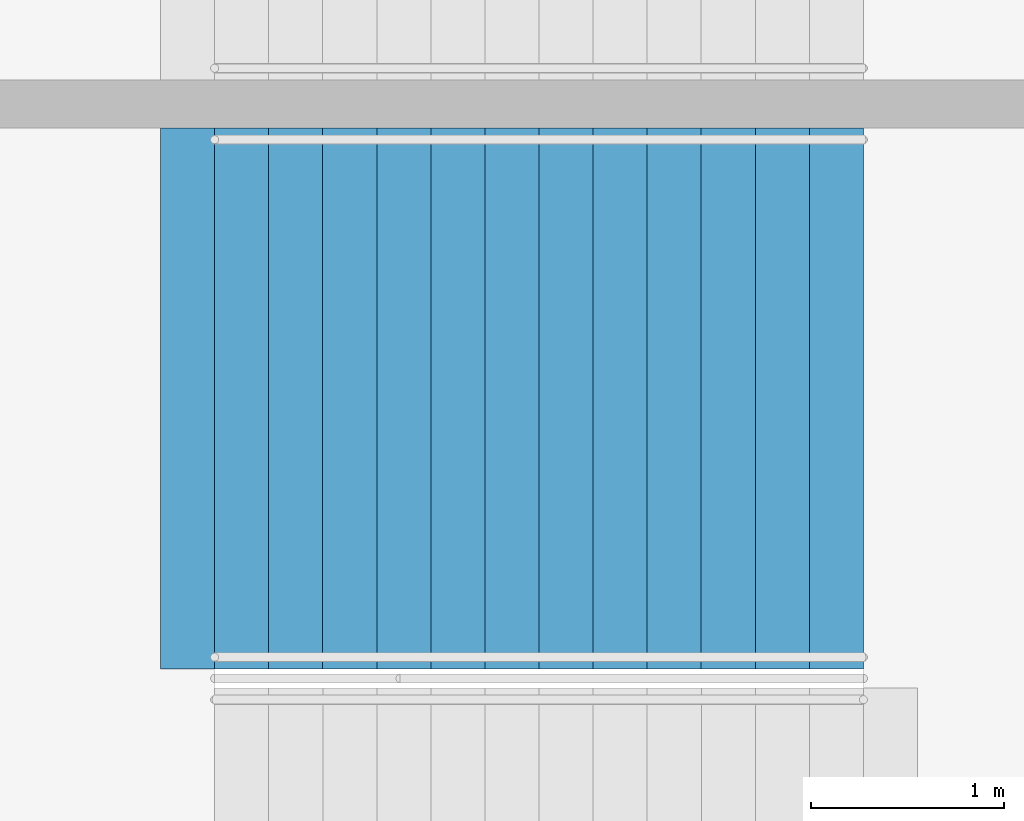
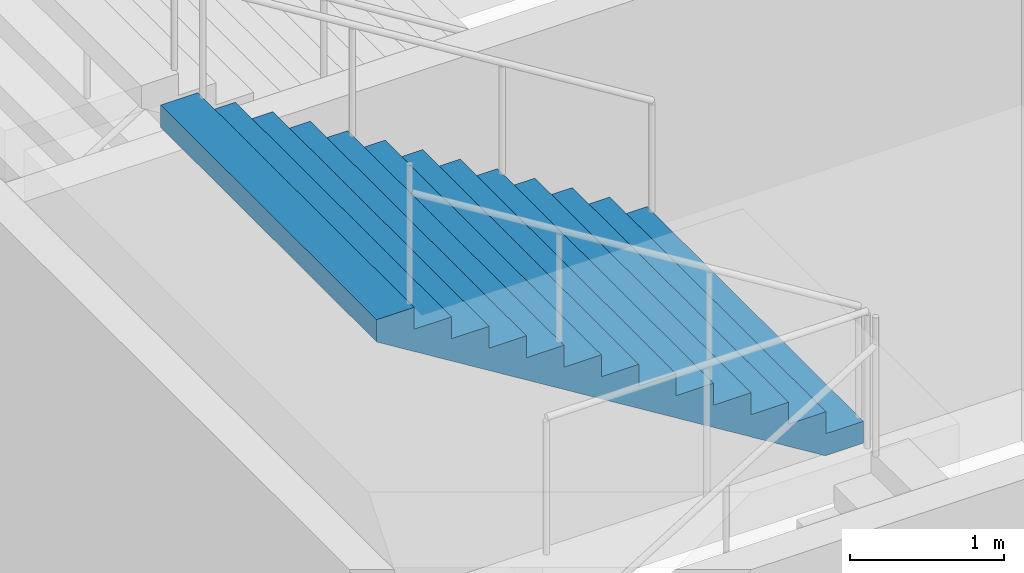
# One storey, part 146 of 199: 1 stair flight, 1 element without a shape of its own.
"""IFC4 building model written with IfcOpenShell, lengths in metres."""

import ifcopenshell
import ifcopenshell.guid

model = None  # the IFC model being written
_history = None  # IfcOwnerHistory: only IFC2X3 demands one
_inside = {}  # id of a spatial element -> (the spatial element, [elements in it])
_under = {}  # id of a project, library or spatial element -> (it, [spatial elements below it])
_declared = {}  # id of a project -> (the project, [libraries it declares])
_typed = {}  # id of a type object -> (the type object, [elements of that type])
_made_of = {}  # id of a material, layer set ... -> (it, [elements and type objects made of it])


def new_model(schema):
    """Start an empty IFC model of exactly this schema.

    Asked for "IFC4X3", IfcOpenShell would pick the latest addendum, in which some entities
    have other attributes; the version numbers below select the first issue.
    IFC2X3 requires an IfcOwnerHistory on every rooted entity: one is made here for all.
    """
    global model, _history
    if schema == "IFC4X3":
        model = ifcopenshell.file(schema_version=(4, 3, 0, 0))
    else:
        model = ifcopenshell.file(schema=schema)
    _inside.clear()
    _under.clear()
    _declared.clear()
    _typed.clear()
    _made_of.clear()
    _history = None
    if model.schema == "IFC2X3":
        org = make("IfcOrganization", Name="unknown")
        user = make(
            "IfcPersonAndOrganization",
            ThePerson=make("IfcPerson", FamilyName="unknown"),
            TheOrganization=org,
        )
        app = make(
            "IfcApplication",
            ApplicationDeveloper=org,
            Version="unknown",
            ApplicationFullName="unknown",
            ApplicationIdentifier="unknown",
        )
        _history = make(
            "IfcOwnerHistory",
            OwningUser=user,
            OwningApplication=app,
            ChangeAction="ADDED",
            CreationDate=0,
        )
    return model


def make(cls, **values):
    """One entity of the class cls with the attributes given. An attribute that is None is left unset."""
    return model.create_entity(
        cls, **{name: value for name, value in values.items() if value is not None}
    )


def rooted(cls, **values):
    """An entity with a GlobalId (a new one), such as an element, a storey or a relation."""
    return make(cls, GlobalId=ifcopenshell.guid.new(), OwnerHistory=_history, **values)


def si_unit(unit_type, name, prefix=None):
    """IfcSIUnit, for example si_unit("LENGTHUNIT", "METRE", prefix="MILLI")."""
    return make("IfcSIUnit", UnitType=unit_type, Prefix=prefix, Name=name)


def assignment(units):
    """IfcUnitAssignment: the units of a project."""
    return None if units is None else make("IfcUnitAssignment", Units=units)


def point(xyz):
    """IfcCartesianPoint."""
    return None if xyz is None else make("IfcCartesianPoint", Coordinates=xyz)


def direction(xyz):
    """IfcDirection."""
    return None if xyz is None else make("IfcDirection", DirectionRatios=xyz)


def frame(location, z_axis=None, x_axis=None):
    """IfcAxis2Placement3D, a coordinate frame: its origin and axes. An axis left out is left unset."""
    return make(
        "IfcAxis2Placement3D",
        Location=point(location),
        Axis=direction(z_axis),
        RefDirection=direction(x_axis),
    )


def origin():
    """The frame at (0, 0, 0) with its axes left unset."""
    return frame((0.0, 0.0, 0.0))


def place(relative_to, where):
    """IfcLocalPlacement: puts the frame where relative to a parent placement (None: the world)."""
    return make(
        "IfcLocalPlacement", PlacementRelTo=relative_to, RelativePlacement=where
    )


def context(
    kind, dimensions, precision=None, world=None, true_north=None, identifier=None
):
    """IfcGeometricRepresentationContext, for example the 3D "Model" context."""
    return make(
        "IfcGeometricRepresentationContext",
        ContextIdentifier=identifier,
        ContextType=kind,
        CoordinateSpaceDimension=dimensions,
        Precision=precision,
        WorldCoordinateSystem=world,
        TrueNorth=true_north,
    )


def subcontext(parent, identifier, kind, view, scale=None):
    """IfcGeometricRepresentationSubContext, for example "Body" below "Model"."""
    return make(
        "IfcGeometricRepresentationSubContext",
        ContextIdentifier=identifier,
        ContextType=kind,
        ParentContext=parent,
        TargetScale=scale,
        TargetView=view,
    )


def project(units=None, contexts=None):
    """IfcProject with its units and contexts."""
    return rooted(
        "IfcProject",
        Name="project",
        RepresentationContexts=contexts,
        UnitsInContext=assignment(units),
    )


def spatial(cls, under=None, at=None, **own):
    """A site, building, storey or space (cls), placed at a placement, below another one or the project."""
    s = rooted(cls, ObjectPlacement=at, **own)
    if under is not None:
        _under.setdefault(under.id(), (under, []))[1].append(s)
    return s


def faces_of(points, faces, orient=None, outer=None):
    """IfcFace entities. A face is a list of loops; a loop is a list of indices into points, from 0.

    orient and outer hold one flag for each loop. By default every Orientation is true, the
    first loop of a face is its IfcFaceOuterBound and the others are IfcFaceBound.
    """
    made = []
    for i, loops in enumerate(faces):
        bounds = []
        for j, loop in enumerate(loops):
            is_outer = j == 0 if outer is None else outer[i][j]
            bounds.append(
                make(
                    "IfcFaceOuterBound" if is_outer else "IfcFaceBound",
                    Bound=make("IfcPolyLoop", Polygon=[points[k] for k in loop]),
                    Orientation=True if orient is None else orient[i][j],
                )
            )
        made.append(make("IfcFace", Bounds=bounds))
    return made


def faceted_brep(points, faces, orient=None, outer=None, voids=None):
    """IfcFacetedBrep: a solid bounded by flat faces; with voids (closed shells), ...WithVoids."""
    shared = [point(p) for p in points]
    hull = make("IfcClosedShell", CfsFaces=faces_of(shared, faces, orient, outer))
    if voids is None:
        return make("IfcFacetedBrep", Outer=hull)
    return make(
        "IfcFacetedBrepWithVoids",
        Outer=hull,
        Voids=[
            make(cls, CfsFaces=faces_of(shared, fs, o, b)) for cls, fs, o, b in voids
        ],
    )


def shape(context_of_items, identifier, shape_type, items):
    """IfcShapeRepresentation: the items that make up one representation, for example the "Body"."""
    return make(
        "IfcShapeRepresentation",
        ContextOfItems=context_of_items,
        RepresentationIdentifier=identifier,
        RepresentationType=shape_type,
        Items=items,
    )


def material(Name=None, Category=None):
    """IfcMaterial."""
    return make("IfcMaterial", Name=Name, Category=Category)


def made_of(thing, what):
    """Note that an element or type object is made of a material, layer set ...; save() writes the relation."""
    if what is not None:
        _made_of.setdefault(what.id(), (what, []))[1].append(thing)
    return thing


def type_object(cls, material=None, **own):
    """A type object (cls), such as IfcWallType, which elements share."""
    return made_of(rooted(cls, **own), material)


def element(
    cls,
    number,
    at=None,
    inside=None,
    cuts=None,
    type_object=None,
    material=None,
    context=None,
    identifier="Body",
    shape_type=None,
    held_by="IfcProductDefinitionShape",
    body=None,
    shapes=None,
    **own,
):
    """One element of the class cls, such as IfcWall. Its Tag is "e" and its number.

    at: its placement. inside: the storey or other place that contains it. cuts: it is an
    opening in that element (IfcRelVoidsElement). A single representation is given by context,
    identifier, shape_type and body (its items); several are given by shapes. held_by: the class
    of the entity that holds the representations. save() writes the other relations.
    """
    e = rooted(cls, Tag="e%d" % number, ObjectPlacement=at, **own)
    if body is not None:
        shapes = [shape(context, identifier, shape_type, body)]
    if shapes is not None:
        e.Representation = make(held_by, Representations=shapes)
    if inside is not None:
        _inside.setdefault(inside.id(), (inside, []))[1].append(e)
    if cuts is not None:
        rooted(
            "IfcRelVoidsElement", RelatingBuildingElement=cuts, RelatedOpeningElement=e
        )
    if type_object is not None:
        _typed.setdefault(type_object.id(), (type_object, []))[1].append(e)
    return made_of(e, material)


def aggregate(whole, parts):
    """IfcRelAggregates: a whole, such as a stair, and the parts it consists of."""
    return rooted("IfcRelAggregates", RelatingObject=whole, RelatedObjects=parts)


def save(model, path):
    """Write the relations noted so far, then the file.

    IfcRelAggregates (storeys below a building ...), IfcRelContainedInSpatialStructure (elements
    in a storey), IfcRelDefinesByType, IfcRelAssociatesMaterial and IfcRelDeclares: one each for
    every whole, place, type object, material and project.
    """
    for whole, parts in _under.values():
        aggregate(whole, parts)
    for where, things in _inside.values():
        rooted(
            "IfcRelContainedInSpatialStructure",
            RelatedElements=things,
            RelatingStructure=where,
        )
    for kind, things in _typed.values():
        rooted("IfcRelDefinesByType", RelatedObjects=things, RelatingType=kind)
    for what, things in _made_of.values():
        rooted("IfcRelAssociatesMaterial", RelatedObjects=things, RelatingMaterial=what)
    for by, libraries in _declared.values():
        rooted("IfcRelDeclares", RelatingContext=by, RelatedDefinitions=libraries)
    model.write(path)


model = new_model("IFC4")

# Units and contexts
model_context = context("Model", 3, precision=1e-05, world=origin(), true_north=direction((0.0, 1.0)))
body_context = subcontext(model_context, "Body", "Model", "MODEL_VIEW")
ifc_project = project(units=[si_unit("LENGTHUNIT", "METRE"), si_unit("AREAUNIT", "SQUARE_METRE"), si_unit("VOLUMEUNIT", "CUBIC_METRE"), si_unit("PLANEANGLEUNIT", "RADIAN"), si_unit("MASSUNIT", "GRAM", prefix="KILO")], contexts=[model_context])

# Site, building, storey
site_placement = place(None, origin())
site = spatial("IfcSite", under=ifc_project, at=site_placement, CompositionType="ELEMENT")
building_placement = place(site_placement, origin())
building = spatial("IfcBuilding", under=site, at=building_placement, Name="Ogive Plaza Stadium", CompositionType="ELEMENT")
storey_placement = place(building_placement, frame((0.0, 0.0, 4.5)))
storey = spatial("IfcBuildingStorey", under=building, at=storey_placement, Name="L01", CompositionType="ELEMENT", Elevation=4.5)

# Stair, stair flight
ifc_material_1 = material(Name="Concrete C40/50", Category="concrete")
stair_type = type_object("IfcStairType", Name="Exit stair", PredefinedType="STRAIGHT_RUN_STAIR", material=ifc_material_1)
stair_placement = place(storey_placement, origin())
stair = element("IfcStair", 1, at=stair_placement, inside=storey, type_object=stair_type, Name="Exit stair ST06A L01 to L02", PredefinedType="STRAIGHT_RUN_STAIR")
ifc_material_2 = material(Name="Concrete C40/50", Category="concrete")
stair_flight_type = type_object("IfcStairFlightType", Name="Exit stair flight", PredefinedType="STRAIGHT", material=ifc_material_2)
stair_flight_placement = place(storey_placement, frame((79.7099609375, -24.02490234375, 2.25), z_axis=(0.0, 0.0, 1.0), x_axis=(-1.0, 0.0, 0.0)))
stair_flight = element("IfcStairFlight", 2, at=stair_flight_placement, type_object=stair_flight_type, Name="ST06A flight 2", NumberOfRisers=13, NumberOfTreads=12, PredefinedType="STRAIGHT", RiserHeight=0.173076923, TreadLength=0.28, context=body_context, shape_type="Brep", body=[
    faceted_brep([(0.28515625, -1.39990234375, 0.0), (3.639892578125, -1.39990234375, 2.07373046875), (3.639892578125, -1.39990234375, 2.25), (3.360107421875, -1.39990234375, 2.25), (3.360107421875, -1.39990234375, 2.076904296875), (3.080078125, -1.39990234375, 2.076904296875), (3.080078125, -1.39990234375, 1.90380859375), (2.800048828125, -1.39990234375, 1.90380859375), (2.800048828125, -1.39990234375, 1.730712890625), (2.52001953125, -1.39990234375, 1.730712890625), (2.52001953125, -1.39990234375, 1.5576171875), (2.239990234375, -1.39990234375, 1.5576171875), (2.239990234375, -1.39990234375, 1.384521484375), (1.9599609375, -1.39990234375, 1.384521484375), (1.9599609375, -1.39990234375, 1.21142578125), (1.679931640625, -1.39990234375, 1.21142578125), (1.679931640625, -1.39990234375, 1.03857421875), (1.39990234375, -1.39990234375, 1.03857421875), (1.39990234375, -1.39990234375, 0.865478515625), (1.1201171875, -1.39990234375, 0.865478515625), (1.1201171875, -1.39990234375, 0.6923828125), (0.840087890625, -1.39990234375, 0.6923828125), (0.840087890625, -1.39990234375, 0.519287109375), (0.56005859375, -1.39990234375, 0.519287109375), (0.56005859375, -1.39990234375, 0.34619140625), (0.280029296875, -1.39990234375, 0.34619140625), (0.280029296875, -1.39990234375, 0.173095703125), (0.0, -1.39990234375, 0.173095703125), (0.0, -1.39990234375, 0.0), (0.0, 1.39990234375, 0.0), (0.0, 1.39990234375, 0.173095703125), (0.280029296875, 1.39990234375, 0.173095703125), (0.280029296875, 1.39990234375, 0.34619140625), (0.56005859375, 1.39990234375, 0.34619140625), (0.56005859375, 1.39990234375, 0.519287109375), (0.840087890625, 1.39990234375, 0.519287109375), (0.840087890625, 1.39990234375, 0.6923828125), (1.1201171875, 1.39990234375, 0.6923828125), (1.1201171875, 1.39990234375, 0.865478515625), (1.39990234375, 1.39990234375, 0.865478515625), (1.39990234375, 1.39990234375, 1.03857421875), (1.679931640625, 1.39990234375, 1.03857421875), (1.679931640625, 1.39990234375, 1.21142578125), (1.9599609375, 1.39990234375, 1.21142578125), (1.9599609375, 1.39990234375, 1.384521484375), (2.239990234375, 1.39990234375, 1.384521484375), (2.239990234375, 1.39990234375, 1.5576171875), (2.52001953125, 1.39990234375, 1.5576171875), (2.52001953125, 1.39990234375, 1.730712890625), (2.800048828125, 1.39990234375, 1.730712890625), (2.800048828125, 1.39990234375, 1.90380859375), (3.080078125, 1.39990234375, 1.90380859375), (3.080078125, 1.39990234375, 2.076904296875), (3.360107421875, 1.39990234375, 2.076904296875), (3.360107421875, 1.39990234375, 2.25), (3.639892578125, 1.39990234375, 2.25), (3.639892578125, 1.39990234375, 2.07373046875), (0.28515625, 1.39990234375, 0.0), (0.28515625, -1.0888671875, 0.0), (3.639892578125, -1.0888671875, 2.07373046875), (0.28515625, -0.77783203125, 0.0), (3.639892578125, -0.77783203125, 2.07373046875), (0.28515625, -0.466796875, 0.0), (3.639892578125, -0.466796875, 2.07373046875), (0.28515625, -0.155517578125, 0.0), (3.639892578125, -0.155517578125, 2.07373046875), (0.28515625, 0.155517578125, 0.0), (3.639892578125, 0.155517578125, 2.07373046875), (0.28515625, 0.466796875, 0.0), (3.639892578125, 0.466796875, 2.07373046875), (0.28515625, 0.77783203125, 0.0), (3.639892578125, 0.77783203125, 2.07373046875), (0.28515625, 1.0888671875, 0.0), (3.639892578125, 1.0888671875, 2.07373046875), (3.639892578125, -1.0888671875, 2.25), (3.639892578125, -0.77783203125, 2.25), (3.639892578125, -0.466796875, 2.25), (3.639892578125, -0.155517578125, 2.25), (3.639892578125, 0.155517578125, 2.25), (3.639892578125, 0.466796875, 2.25), (3.639892578125, 0.77783203125, 2.25), (3.639892578125, 1.0888671875, 2.25), (3.360107421875, -1.0888671875, 2.25), (3.360107421875, -0.77783203125, 2.25), (3.360107421875, -0.466796875, 2.25), (3.360107421875, -0.155517578125, 2.25), (3.360107421875, 0.155517578125, 2.25), (3.360107421875, 0.466796875, 2.25), (3.360107421875, 0.77783203125, 2.25), (3.360107421875, 1.0888671875, 2.25), (3.360107421875, -1.0888671875, 2.076904296875), (3.360107421875, -0.77783203125, 2.076904296875), (3.360107421875, -0.466796875, 2.076904296875), (3.360107421875, -0.155517578125, 2.076904296875), (3.360107421875, 0.155517578125, 2.076904296875), (3.360107421875, 0.466796875, 2.076904296875), (3.360107421875, 0.77783203125, 2.076904296875), (3.360107421875, 1.0888671875, 2.076904296875), (3.080078125, -1.0888671875, 2.076904296875), (3.080078125, -0.77783203125, 2.076904296875), (3.080078125, -0.466796875, 2.076904296875), (3.080078125, -0.155517578125, 2.076904296875), (3.080078125, 0.155517578125, 2.076904296875), (3.080078125, 0.466796875, 2.076904296875), (3.080078125, 0.77783203125, 2.076904296875), (3.080078125, 1.0888671875, 2.076904296875), (3.080078125, -1.0888671875, 1.90380859375), (3.080078125, -0.77783203125, 1.90380859375), (3.080078125, -0.466796875, 1.90380859375), (3.080078125, -0.155517578125, 1.90380859375), (3.080078125, 0.155517578125, 1.90380859375), (3.080078125, 0.466796875, 1.90380859375), (3.080078125, 0.77783203125, 1.90380859375), (3.080078125, 1.0888671875, 1.90380859375), (2.800048828125, -1.0888671875, 1.90380859375), (2.800048828125, -0.77783203125, 1.90380859375), (2.800048828125, -0.466796875, 1.90380859375), (2.800048828125, -0.155517578125, 1.90380859375), (2.800048828125, 0.155517578125, 1.90380859375), (2.800048828125, 0.466796875, 1.90380859375), (2.800048828125, 0.77783203125, 1.90380859375), (2.800048828125, 1.0888671875, 1.90380859375), (2.800048828125, -1.0888671875, 1.730712890625), (2.800048828125, -0.77783203125, 1.730712890625), (2.800048828125, -0.466796875, 1.730712890625), (2.800048828125, -0.155517578125, 1.730712890625), (2.800048828125, 0.155517578125, 1.730712890625), (2.800048828125, 0.466796875, 1.730712890625), (2.800048828125, 0.77783203125, 1.730712890625), (2.800048828125, 1.0888671875, 1.730712890625), (2.52001953125, -1.0888671875, 1.730712890625), (2.52001953125, -0.77783203125, 1.730712890625), (2.52001953125, -0.466796875, 1.730712890625), (2.52001953125, -0.155517578125, 1.730712890625), (2.52001953125, 0.155517578125, 1.730712890625), (2.52001953125, 0.466796875, 1.730712890625), (2.52001953125, 0.77783203125, 1.730712890625), (2.52001953125, 1.0888671875, 1.730712890625), (2.52001953125, -1.0888671875, 1.5576171875), (2.52001953125, -0.77783203125, 1.5576171875), (2.52001953125, -0.466796875, 1.5576171875), (2.52001953125, -0.155517578125, 1.5576171875), (2.52001953125, 0.155517578125, 1.5576171875), (2.52001953125, 0.466796875, 1.5576171875), (2.52001953125, 0.77783203125, 1.5576171875), (2.52001953125, 1.0888671875, 1.5576171875), (2.239990234375, -1.0888671875, 1.5576171875), (2.239990234375, -0.77783203125, 1.5576171875), (2.239990234375, -0.466796875, 1.5576171875), (2.239990234375, -0.155517578125, 1.5576171875), (2.239990234375, 0.155517578125, 1.5576171875), (2.239990234375, 0.466796875, 1.5576171875), (2.239990234375, 0.77783203125, 1.5576171875), (2.239990234375, 1.0888671875, 1.5576171875), (2.239990234375, -1.0888671875, 1.384521484375), (2.239990234375, -0.77783203125, 1.384521484375), (2.239990234375, -0.466796875, 1.384521484375), (2.239990234375, -0.155517578125, 1.384521484375), (2.239990234375, 0.155517578125, 1.384521484375), (2.239990234375, 0.466796875, 1.384521484375), (2.239990234375, 0.77783203125, 1.384521484375), (2.239990234375, 1.0888671875, 1.384521484375), (1.9599609375, -1.0888671875, 1.384521484375), (1.9599609375, -0.77783203125, 1.384521484375), (1.9599609375, -0.466796875, 1.384521484375), (1.9599609375, -0.155517578125, 1.384521484375), (1.9599609375, 0.155517578125, 1.384521484375), (1.9599609375, 0.466796875, 1.384521484375), (1.9599609375, 0.77783203125, 1.384521484375), (1.9599609375, 1.0888671875, 1.384521484375), (1.9599609375, -1.0888671875, 1.21142578125), (1.9599609375, -0.77783203125, 1.21142578125), (1.9599609375, -0.466796875, 1.21142578125), (1.9599609375, -0.155517578125, 1.21142578125), (1.9599609375, 0.155517578125, 1.21142578125), (1.9599609375, 0.466796875, 1.21142578125), (1.9599609375, 0.77783203125, 1.21142578125), (1.9599609375, 1.0888671875, 1.21142578125), (1.679931640625, -1.0888671875, 1.21142578125), (1.679931640625, -0.77783203125, 1.21142578125), (1.679931640625, -0.466796875, 1.21142578125), (1.679931640625, -0.155517578125, 1.21142578125), (1.679931640625, 0.155517578125, 1.21142578125), (1.679931640625, 0.466796875, 1.21142578125), (1.679931640625, 0.77783203125, 1.21142578125), (1.679931640625, 1.0888671875, 1.21142578125), (1.679931640625, -1.0888671875, 1.03857421875), (1.679931640625, -0.77783203125, 1.03857421875), (1.679931640625, -0.466796875, 1.03857421875), (1.679931640625, -0.155517578125, 1.03857421875), (1.679931640625, 0.155517578125, 1.03857421875), (1.679931640625, 0.466796875, 1.03857421875), (1.679931640625, 0.77783203125, 1.03857421875), (1.679931640625, 1.0888671875, 1.03857421875), (1.39990234375, -1.0888671875, 1.03857421875), (1.39990234375, -0.77783203125, 1.03857421875), (1.39990234375, -0.466796875, 1.03857421875), (1.39990234375, -0.155517578125, 1.03857421875), (1.39990234375, 0.155517578125, 1.03857421875), (1.39990234375, 0.466796875, 1.03857421875), (1.39990234375, 0.77783203125, 1.03857421875), (1.39990234375, 1.0888671875, 1.03857421875), (1.39990234375, -1.0888671875, 0.865478515625), (1.39990234375, -0.77783203125, 0.865478515625), (1.39990234375, -0.466796875, 0.865478515625), (1.39990234375, -0.155517578125, 0.865478515625), (1.39990234375, 0.155517578125, 0.865478515625), (1.39990234375, 0.466796875, 0.865478515625), (1.39990234375, 0.77783203125, 0.865478515625), (1.39990234375, 1.0888671875, 0.865478515625), (1.1201171875, -1.0888671875, 0.865478515625), (1.1201171875, -0.77783203125, 0.865478515625), (1.1201171875, -0.466796875, 0.865478515625), (1.1201171875, -0.155517578125, 0.865478515625), (1.1201171875, 0.155517578125, 0.865478515625), (1.1201171875, 0.466796875, 0.865478515625), (1.1201171875, 0.77783203125, 0.865478515625), (1.1201171875, 1.0888671875, 0.865478515625), (1.1201171875, -1.0888671875, 0.6923828125), (1.1201171875, -0.77783203125, 0.6923828125), (1.1201171875, -0.466796875, 0.6923828125), (1.1201171875, -0.155517578125, 0.6923828125), (1.1201171875, 0.155517578125, 0.6923828125), (1.1201171875, 0.466796875, 0.6923828125), (1.1201171875, 0.77783203125, 0.6923828125), (1.1201171875, 1.0888671875, 0.6923828125), (0.840087890625, -1.0888671875, 0.6923828125), (0.840087890625, -0.77783203125, 0.6923828125), (0.840087890625, -0.466796875, 0.6923828125), (0.840087890625, -0.155517578125, 0.6923828125), (0.840087890625, 0.155517578125, 0.6923828125), (0.840087890625, 0.466796875, 0.6923828125), (0.840087890625, 0.77783203125, 0.6923828125), (0.840087890625, 1.0888671875, 0.6923828125), (0.840087890625, -1.0888671875, 0.519287109375), (0.840087890625, -0.77783203125, 0.519287109375), (0.840087890625, -0.466796875, 0.519287109375), (0.840087890625, -0.155517578125, 0.519287109375), (0.840087890625, 0.155517578125, 0.519287109375), (0.840087890625, 0.466796875, 0.519287109375), (0.840087890625, 0.77783203125, 0.519287109375), (0.840087890625, 1.0888671875, 0.519287109375), (0.56005859375, -1.0888671875, 0.519287109375), (0.56005859375, -0.77783203125, 0.519287109375), (0.56005859375, -0.466796875, 0.519287109375), (0.56005859375, -0.155517578125, 0.519287109375), (0.56005859375, 0.155517578125, 0.519287109375), (0.56005859375, 0.466796875, 0.519287109375), (0.56005859375, 0.77783203125, 0.519287109375), (0.56005859375, 1.0888671875, 0.519287109375), (0.56005859375, -1.0888671875, 0.34619140625), (0.56005859375, -0.77783203125, 0.34619140625), (0.56005859375, -0.466796875, 0.34619140625), (0.56005859375, -0.155517578125, 0.34619140625), (0.56005859375, 0.155517578125, 0.34619140625), (0.56005859375, 0.466796875, 0.34619140625), (0.56005859375, 0.77783203125, 0.34619140625), (0.56005859375, 1.0888671875, 0.34619140625), (0.280029296875, -1.0888671875, 0.34619140625), (0.280029296875, -0.77783203125, 0.34619140625), (0.280029296875, -0.466796875, 0.34619140625), (0.280029296875, -0.155517578125, 0.34619140625), (0.280029296875, 0.155517578125, 0.34619140625), (0.280029296875, 0.466796875, 0.34619140625), (0.280029296875, 0.77783203125, 0.34619140625), (0.280029296875, 1.0888671875, 0.34619140625), (0.280029296875, -1.0888671875, 0.173095703125), (0.280029296875, -0.77783203125, 0.173095703125), (0.280029296875, -0.466796875, 0.173095703125), (0.280029296875, -0.155517578125, 0.173095703125), (0.280029296875, 0.155517578125, 0.173095703125), (0.280029296875, 0.466796875, 0.173095703125), (0.280029296875, 0.77783203125, 0.173095703125), (0.280029296875, 1.0888671875, 0.173095703125), (0.0, -1.0888671875, 0.173095703125), (0.0, -0.77783203125, 0.173095703125), (0.0, -0.466796875, 0.173095703125), (0.0, -0.155517578125, 0.173095703125), (0.0, 0.155517578125, 0.173095703125), (0.0, 0.466796875, 0.173095703125), (0.0, 0.77783203125, 0.173095703125), (0.0, 1.0888671875, 0.173095703125), (0.0, -1.0888671875, 0.0), (0.0, -0.77783203125, 0.0), (0.0, -0.466796875, 0.0), (0.0, -0.155517578125, 0.0), (0.0, 0.155517578125, 0.0), (0.0, 0.466796875, 0.0), (0.0, 0.77783203125, 0.0), (0.0, 1.0888671875, 0.0)], [[[0, 1, 2, 3, 4, 5, 6, 7, 8, 9, 10, 11, 12, 13, 14, 15, 16, 17, 18, 19, 20, 21, 22, 23, 24, 25, 26, 27, 28]], [[29, 30, 31, 32, 33, 34, 35, 36, 37, 38, 39, 40, 41, 42, 43, 44, 45, 46, 47, 48, 49, 50, 51, 52, 53, 54, 55, 56, 57]], [[0, 58, 59, 1]], [[58, 60, 61, 59]], [[60, 62, 63, 61]], [[62, 64, 65, 63]], [[64, 66, 67, 65]], [[66, 68, 69, 67]], [[68, 70, 71, 69]], [[70, 72, 73, 71]], [[72, 57, 56, 73]], [[1, 59, 74, 2]], [[59, 61, 75, 74]], [[61, 63, 76, 75]], [[63, 65, 77, 76]], [[65, 67, 78, 77]], [[67, 69, 79, 78]], [[69, 71, 80, 79]], [[71, 73, 81, 80]], [[73, 56, 55, 81]], [[2, 74, 82, 3]], [[74, 75, 83, 82]], [[75, 76, 84, 83]], [[76, 77, 85, 84]], [[77, 78, 86, 85]], [[78, 79, 87, 86]], [[79, 80, 88, 87]], [[80, 81, 89, 88]], [[81, 55, 54, 89]], [[3, 82, 90, 4]], [[82, 83, 91, 90]], [[83, 84, 92, 91]], [[84, 85, 93, 92]], [[85, 86, 94, 93]], [[86, 87, 95, 94]], [[87, 88, 96, 95]], [[88, 89, 97, 96]], [[89, 54, 53, 97]], [[4, 90, 98, 5]], [[90, 91, 99, 98]], [[91, 92, 100, 99]], [[92, 93, 101, 100]], [[93, 94, 102, 101]], [[94, 95, 103, 102]], [[95, 96, 104, 103]], [[96, 97, 105, 104]], [[97, 53, 52, 105]], [[5, 98, 106, 6]], [[98, 99, 107, 106]], [[99, 100, 108, 107]], [[100, 101, 109, 108]], [[101, 102, 110, 109]], [[102, 103, 111, 110]], [[103, 104, 112, 111]], [[104, 105, 113, 112]], [[105, 52, 51, 113]], [[6, 106, 114, 7]], [[106, 107, 115, 114]], [[107, 108, 116, 115]], [[108, 109, 117, 116]], [[109, 110, 118, 117]], [[110, 111, 119, 118]], [[111, 112, 120, 119]], [[112, 113, 121, 120]], [[113, 51, 50, 121]], [[7, 114, 122, 8]], [[114, 115, 123, 122]], [[115, 116, 124, 123]], [[116, 117, 125, 124]], [[117, 118, 126, 125]], [[118, 119, 127, 126]], [[119, 120, 128, 127]], [[120, 121, 129, 128]], [[121, 50, 49, 129]], [[8, 122, 130, 9]], [[122, 123, 131, 130]], [[123, 124, 132, 131]], [[124, 125, 133, 132]], [[125, 126, 134, 133]], [[126, 127, 135, 134]], [[127, 128, 136, 135]], [[128, 129, 137, 136]], [[129, 49, 48, 137]], [[9, 130, 138, 10]], [[130, 131, 139, 138]], [[131, 132, 140, 139]], [[132, 133, 141, 140]], [[133, 134, 142, 141]], [[134, 135, 143, 142]], [[135, 136, 144, 143]], [[136, 137, 145, 144]], [[137, 48, 47, 145]], [[10, 138, 146, 11]], [[138, 139, 147, 146]], [[139, 140, 148, 147]], [[140, 141, 149, 148]], [[141, 142, 150, 149]], [[142, 143, 151, 150]], [[143, 144, 152, 151]], [[144, 145, 153, 152]], [[145, 47, 46, 153]], [[11, 146, 154, 12]], [[146, 147, 155, 154]], [[147, 148, 156, 155]], [[148, 149, 157, 156]], [[149, 150, 158, 157]], [[150, 151, 159, 158]], [[151, 152, 160, 159]], [[152, 153, 161, 160]], [[153, 46, 45, 161]], [[12, 154, 162, 13]], [[154, 155, 163, 162]], [[155, 156, 164, 163]], [[156, 157, 165, 164]], [[157, 158, 166, 165]], [[158, 159, 167, 166]], [[159, 160, 168, 167]], [[160, 161, 169, 168]], [[161, 45, 44, 169]], [[13, 162, 170, 14]], [[162, 163, 171, 170]], [[163, 164, 172, 171]], [[164, 165, 173, 172]], [[165, 166, 174, 173]], [[166, 167, 175, 174]], [[167, 168, 176, 175]], [[168, 169, 177, 176]], [[169, 44, 43, 177]], [[14, 170, 178, 15]], [[170, 171, 179, 178]], [[171, 172, 180, 179]], [[172, 173, 181, 180]], [[173, 174, 182, 181]], [[174, 175, 183, 182]], [[175, 176, 184, 183]], [[176, 177, 185, 184]], [[177, 43, 42, 185]], [[15, 178, 186, 16]], [[178, 179, 187, 186]], [[179, 180, 188, 187]], [[180, 181, 189, 188]], [[181, 182, 190, 189]], [[182, 183, 191, 190]], [[183, 184, 192, 191]], [[184, 185, 193, 192]], [[185, 42, 41, 193]], [[16, 186, 194, 17]], [[186, 187, 195, 194]], [[187, 188, 196, 195]], [[188, 189, 197, 196]], [[189, 190, 198, 197]], [[190, 191, 199, 198]], [[191, 192, 200, 199]], [[192, 193, 201, 200]], [[193, 41, 40, 201]], [[17, 194, 202, 18]], [[194, 195, 203, 202]], [[195, 196, 204, 203]], [[196, 197, 205, 204]], [[197, 198, 206, 205]], [[198, 199, 207, 206]], [[199, 200, 208, 207]], [[200, 201, 209, 208]], [[201, 40, 39, 209]], [[18, 202, 210, 19]], [[202, 203, 211, 210]], [[203, 204, 212, 211]], [[204, 205, 213, 212]], [[205, 206, 214, 213]], [[206, 207, 215, 214]], [[207, 208, 216, 215]], [[208, 209, 217, 216]], [[209, 39, 38, 217]], [[19, 210, 218, 20]], [[210, 211, 219, 218]], [[211, 212, 220, 219]], [[212, 213, 221, 220]], [[213, 214, 222, 221]], [[214, 215, 223, 222]], [[215, 216, 224, 223]], [[216, 217, 225, 224]], [[217, 38, 37, 225]], [[20, 218, 226, 21]], [[218, 219, 227, 226]], [[219, 220, 228, 227]], [[220, 221, 229, 228]], [[221, 222, 230, 229]], [[222, 223, 231, 230]], [[223, 224, 232, 231]], [[224, 225, 233, 232]], [[225, 37, 36, 233]], [[21, 226, 234, 22]], [[226, 227, 235, 234]], [[227, 228, 236, 235]], [[228, 229, 237, 236]], [[229, 230, 238, 237]], [[230, 231, 239, 238]], [[231, 232, 240, 239]], [[232, 233, 241, 240]], [[233, 36, 35, 241]], [[22, 234, 242, 23]], [[234, 235, 243, 242]], [[235, 236, 244, 243]], [[236, 237, 245, 244]], [[237, 238, 246, 245]], [[238, 239, 247, 246]], [[239, 240, 248, 247]], [[240, 241, 249, 248]], [[241, 35, 34, 249]], [[23, 242, 250, 24]], [[242, 243, 251, 250]], [[243, 244, 252, 251]], [[244, 245, 253, 252]], [[245, 246, 254, 253]], [[246, 247, 255, 254]], [[247, 248, 256, 255]], [[248, 249, 257, 256]], [[249, 34, 33, 257]], [[24, 250, 258, 25]], [[250, 251, 259, 258]], [[251, 252, 260, 259]], [[252, 253, 261, 260]], [[253, 254, 262, 261]], [[254, 255, 263, 262]], [[255, 256, 264, 263]], [[256, 257, 265, 264]], [[257, 33, 32, 265]], [[25, 258, 266, 26]], [[258, 259, 267, 266]], [[259, 260, 268, 267]], [[260, 261, 269, 268]], [[261, 262, 270, 269]], [[262, 263, 271, 270]], [[263, 264, 272, 271]], [[264, 265, 273, 272]], [[265, 32, 31, 273]], [[26, 266, 274, 27]], [[266, 267, 275, 274]], [[267, 268, 276, 275]], [[268, 269, 277, 276]], [[269, 270, 278, 277]], [[270, 271, 279, 278]], [[271, 272, 280, 279]], [[272, 273, 281, 280]], [[273, 31, 30, 281]], [[27, 274, 282, 28]], [[274, 275, 283, 282]], [[275, 276, 284, 283]], [[276, 277, 285, 284]], [[277, 278, 286, 285]], [[278, 279, 287, 286]], [[279, 280, 288, 287]], [[280, 281, 289, 288]], [[281, 30, 29, 289]], [[28, 282, 58, 0]], [[282, 283, 60, 58]], [[283, 284, 62, 60]], [[284, 285, 64, 62]], [[285, 286, 66, 64]], [[286, 287, 68, 66]], [[287, 288, 70, 68]], [[288, 289, 72, 70]], [[289, 29, 57, 72]]]),
])
aggregate(stair, [stair_flight])

save(model, "model.ifc")
